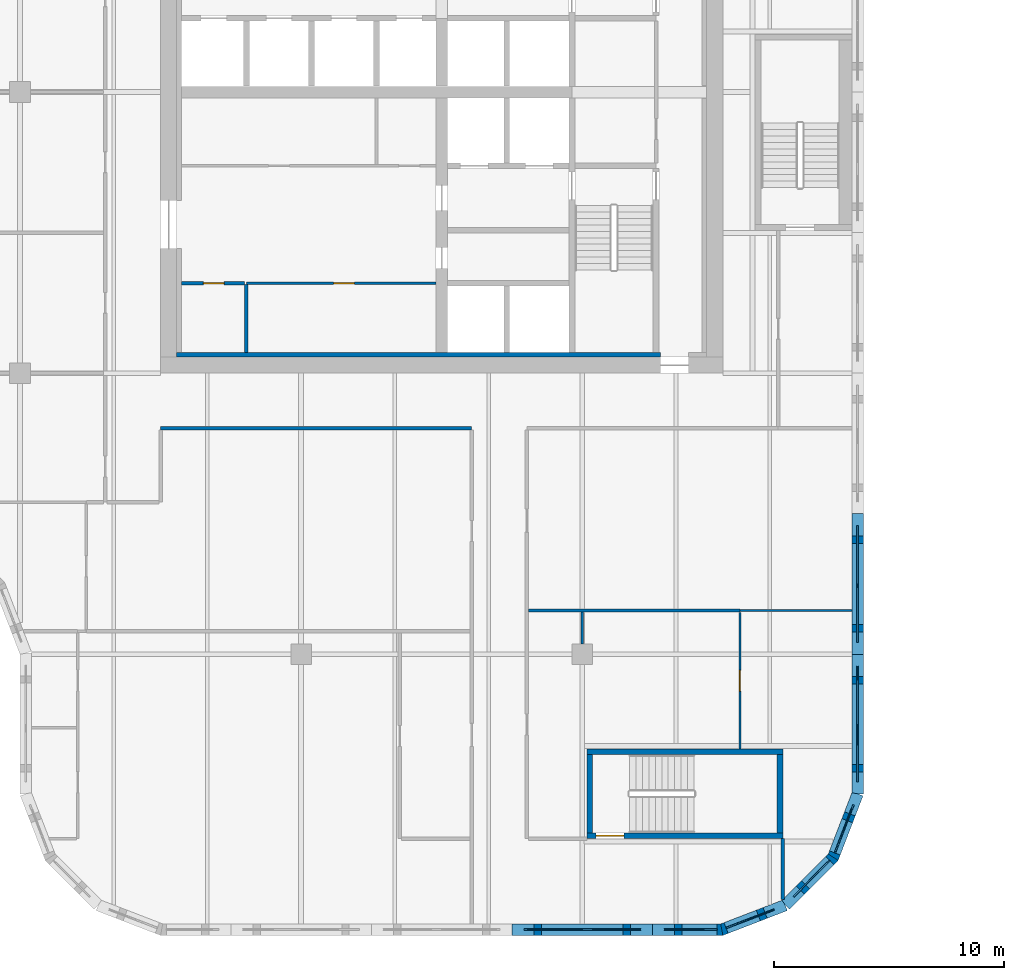
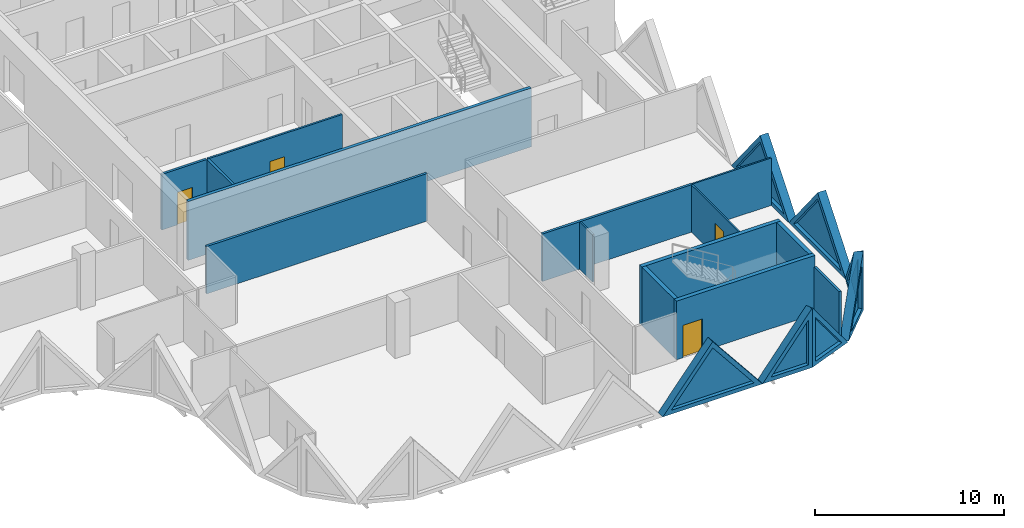
# One storey, part 6 of 17: 21 walls, 7 plates, 4 doors, 11 openings.
"""IFC4 building model written with IfcOpenShell, lengths in metres."""

from ifc_helpers import new_model, si_unit, direction, frame, frame_2d, origin, place, context, subcontext, project, spatial, polyline, rectangle, outline, extrude, faceted_brep, source, transform, mapped, material, layer, layer_set, type_object, element, fill, save


model = new_model("IFC4")

# Units and contexts
model_context = context("Model", 3, precision=1e-05, world=origin(), true_north=direction((0.0, 1.0)))
body_context = subcontext(model_context, "Body", "Model", "MODEL_VIEW")
ifc_project = project(units=[si_unit("LENGTHUNIT", "METRE"), si_unit("AREAUNIT", "SQUARE_METRE"), si_unit("VOLUMEUNIT", "CUBIC_METRE"), si_unit("PLANEANGLEUNIT", "RADIAN"), si_unit("MASSUNIT", "GRAM", prefix="KILO")], contexts=[model_context])

# Site, building, storey
site_placement = place(None, origin())
site = spatial("IfcSite", under=ifc_project, at=site_placement, CompositionType="ELEMENT")
building_placement = place(site_placement, origin())
building = spatial("IfcBuilding", under=site, at=building_placement, Name="Tessera Gate Towers", CompositionType="ELEMENT")
storey_placement = place(building_placement, frame((0.0, 0.0, 112.60009765625)))
storey = spatial("IfcBuildingStorey", under=building, at=storey_placement, Name="L27", CompositionType="ELEMENT", Elevation=112.60009765625)

# Wall, opening, door
ifc_material_1 = material(Name="Concrete C40/50", Category="concrete")
ifc_layer_1 = layer(ifc_material_1, 0.25)
ifc_layer_set_1 = layer_set([ifc_layer_1], Name="CORE ENCLOSURE WALL 250")
wall_type_1 = type_object("IfcWallType", Name="CORE ENCLOSURE WALL 250", PredefinedType="SOLIDWALL", material=ifc_layer_set_1)
wall_1_placement = place(storey_placement, frame((57.5, 4.324951171875, 0.0), z_axis=(0.0, 0.0, 1.0), x_axis=(-1.0, 0.0, 0.0)))
wall_1 = element("IfcWall", 1, at=wall_1_placement, inside=storey, type_object=wall_type_1, Name="L27 ST4 enclosure wall", PredefinedType="SOLIDWALL", context=body_context, shape_type="SweptSolid", body=[
    extrude(rectangle(XDim=8.5, YDim=0.25, at=frame_2d((4.25, 0.0))), origin(), (0.0, 0.0, 1.0), 3.7998046875),
])
shared_shape_1 = source(origin(), body_context, "Body", "SweptSolid", [
    extrude(rectangle(XDim=1.199951171875, YDim=2.10009765625, at=frame_2d((0.60009765625, 1.050048828125))), frame((0.0, 0.135009765625, 0.0), z_axis=(0.0, -1.0, 0.0), x_axis=(1.0, 0.0, 0.0)), (0.0, 0.0, 1.0), 0.27001953125),
])
opening_1_placement = place(wall_1_placement, frame((6.89990234375, 0.0, 0.0)))
opening_1 = element("IfcOpeningElement", 2, at=opening_1_placement, cuts=wall_1, Name="Opening SD-ST4-1", PredefinedType="OPENING", context=body_context, shape_type="MappedRepresentation", body=[
    mapped(shared_shape_1, transform((0.0, 0.0, 0.0), scale=1.0)),
])
ifc_material_2 = material(Name="Hollow steel fire door", Category="steel")
door_type_1 = type_object("IfcDoorType", Name="CORE DOOR SD 1200x2100", OperationType="NOTDEFINED", PredefinedType="DOOR", material=ifc_material_2)
shared_shape_2 = source(origin(), body_context, "Body", "SweptSolid", [
    extrude(rectangle(XDim=1.199951171875, YDim=2.10009765625, at=frame_2d((0.60009765625, 1.050048828125))), frame((0.0, 0.02490234375, 0.0), z_axis=(0.0, -1.0, 0.0), x_axis=(1.0, 0.0, 0.0)), (0.0, 0.0, 1.0), 0.050048828125),
])
door_1_placement = place(opening_1_placement, origin())
door_1 = element("IfcDoor", 3, at=door_1_placement, inside=storey, type_object=door_type_1, Name="Stair door", OperationType="SINGLE_SWING_RIGHT", OverallHeight=2.10009765625, OverallWidth=1.199951171875, PredefinedType="DOOR", context=body_context, shape_type="MappedRepresentation", body=[
    mapped(shared_shape_2, transform((0.0, 0.0, 0.0), scale=1.0)),
])
fill(opening_1, door_1)

# Walls
wall_2_placement = place(storey_placement, frame((49.125, 4.449951171875, 0.0), z_axis=(0.0, 0.0, 1.0), x_axis=(0.0, 1.0, 0.0)))
element("IfcWall", 4, at=wall_2_placement, inside=storey, type_object=wall_type_1, Name="L27 ST4 enclosure wall", PredefinedType="SOLIDWALL", context=body_context, shape_type="SweptSolid", body=[
    extrude(rectangle(XDim=3.400146484375, YDim=0.25, at=frame_2d((1.7001953125, 0.0))), origin(), (0.0, 0.0, 1.0), 3.7998046875),
])
wall_3_placement = place(storey_placement, frame((49.0, 7.97509765625, 0.0), z_axis=(0.0, 0.0, 1.0), x_axis=(1.0, 0.0, 0.0)))
element("IfcWall", 5, at=wall_3_placement, inside=storey, type_object=wall_type_1, Name="L27 ST4 enclosure wall", PredefinedType="SOLIDWALL", context=body_context, shape_type="SweptSolid", body=[
    extrude(rectangle(XDim=8.5, YDim=0.25, at=frame_2d((4.25, 0.0))), origin(), (0.0, 0.0, 1.0), 3.7998046875),
])
wall_4_placement = place(storey_placement, frame((57.375, 7.85009765625, 0.0), z_axis=(0.0, 0.0, 1.0), x_axis=(0.0, -1.0, 0.0)))
element("IfcWall", 6, at=wall_4_placement, inside=storey, type_object=wall_type_1, Name="L27 ST4 enclosure wall", PredefinedType="SOLIDWALL", context=body_context, shape_type="SweptSolid", body=[
    extrude(rectangle(XDim=3.400146484375, YDim=0.25, at=frame_2d((1.7001953125, 0.0))), origin(), (0.0, 0.0, 1.0), 3.7998046875),
])

# Wall, opening, door
ifc_material_3 = material(Name="Gypsum board on steel studs", Category="steel")
ifc_layer_2 = layer(ifc_material_3, 0.1201171875)
ifc_layer_set_2 = layer_set([ifc_layer_2], Name="CORE PARTITION 120")
wall_type_2 = type_object("IfcWallType", Name="CORE PARTITION 120", PredefinedType="PARTITIONING", material=ifc_layer_set_2)
wall_5_placement = place(storey_placement, frame((42.449951171875, 28.300048828125, 0.0), z_axis=(0.0, 0.0, 1.0), x_axis=(-1.0, 0.0, 0.0)))
wall_5 = element("IfcWall", 7, at=wall_5_placement, inside=storey, type_object=wall_type_2, Name="L27 core partition", PredefinedType="PARTITIONING", context=body_context, shape_type="SweptSolid", body=[
    extrude(rectangle(XDim=8.224853515625, YDim=0.1201171875, at=frame_2d((4.1123046875, 0.0))), origin(), (0.0, 0.0, 1.0), 3.599853515625),
])
shared_shape_3 = source(origin(), body_context, "Body", "SweptSolid", [
    extrude(rectangle(XDim=0.89990234375, YDim=2.10009765625, at=frame_2d((0.449951171875, 1.050048828125))), frame((0.0, 0.070068359375, 0.0), z_axis=(0.0, -1.0, 0.0), x_axis=(1.0, 0.0, 0.0)), (0.0, 0.0, 1.0), 0.14013671875),
])
opening_2_placement = place(wall_5_placement, frame((3.53759765625, 0.0, 0.0)))
opening_2 = element("IfcOpeningElement", 8, at=opening_2_placement, cuts=wall_5, Name="Opening RD-T1-19-09", PredefinedType="OPENING", context=body_context, shape_type="MappedRepresentation", body=[
    mapped(shared_shape_3, transform((0.0, 0.0, 0.0), scale=1.0)),
])
ifc_material_4 = material(Name="Hollow steel fire door", Category="steel")
door_type_2 = type_object("IfcDoorType", Name="CORE DOOR RD 900x2100", OperationType="NOTDEFINED", PredefinedType="DOOR", material=ifc_material_4)
shared_shape_4 = source(origin(), body_context, "Body", "SweptSolid", [
    extrude(rectangle(XDim=0.89990234375, YDim=2.10009765625, at=frame_2d((0.449951171875, 1.050048828125))), frame((0.0, 0.02490234375, 0.0), z_axis=(0.0, -1.0, 0.0), x_axis=(1.0, 0.0, 0.0)), (0.0, 0.0, 1.0), 0.050048828125),
])
door_2_placement = place(opening_2_placement, origin())
door_2 = element("IfcDoor", 9, at=door_2_placement, inside=storey, type_object=door_type_2, Name="Core room door", OperationType="SINGLE_SWING_LEFT", OverallHeight=2.10009765625, OverallWidth=0.89990234375, PredefinedType="DOOR", context=body_context, shape_type="MappedRepresentation", body=[
    mapped(shared_shape_4, transform((0.0, 0.0, 0.0), scale=1.0)),
])
fill(opening_2, door_2)

# Walls
ifc_material_5 = material(Name="Concrete C60/75", Category="concrete")
ifc_layer_3 = layer(ifc_material_5, 0.199951171875)
ifc_layer_set_3 = layer_set([ifc_layer_3], Name="CORE WALL THICKENING 200")
wall_type_3 = type_object("IfcWallType", Name="CORE WALL THICKENING 200", PredefinedType="SOLIDWALL", material=ifc_layer_set_3)
wall_6_placement = place(storey_placement, frame((31.199951171875, 25.199951171875, 0.0), z_axis=(0.0, 0.0, 1.0), x_axis=(1.0, 0.0, 0.0)))
element("IfcWall", 10, at=wall_6_placement, inside=storey, type_object=wall_type_3, Name="Core wall thickening S L27", PredefinedType="SOLIDWALL", context=body_context, shape_type="SweptSolid", body=[
    extrude(rectangle(XDim=21.0, YDim=0.199951171875, at=frame_2d((10.5, 0.0))), origin(), (0.0, 0.0, 1.0), 3.7998046875),
])
ifc_material_6 = material(Name="Gypsum board on steel studs, mineral wool", Category="steel")
ifc_layer_4 = layer(ifc_material_6, 0.14990234375)
ifc_layer_set_4 = layer_set([ifc_layer_4], Name="CORRIDOR WALL 150")
wall_type_4 = type_object("IfcWallType", Name="CORRIDOR WALL 150", PredefinedType="PARTITIONING", material=ifc_layer_set_4)
wall_7_placement = place(storey_placement, frame((57.5, 1.55908203125, 0.0), z_axis=(0.0, 0.0, 1.0), x_axis=(0.0, 1.0, 0.0)))
element("IfcWall", 11, at=wall_7_placement, inside=storey, type_object=wall_type_4, Name="T1-L27-PW-002", PredefinedType="PARTITIONING", context=body_context, shape_type="SweptSolid", body=[
    extrude(rectangle(XDim=2.640869140625, YDim=0.14990234375, at=frame_2d((1.3203125, 0.0))), origin(), (0.0, 0.0, 1.0), 3.06689453125),
])
wall_8_placement = place(storey_placement, frame((30.5, 22.0, 0.0), z_axis=(0.0, 0.0, 1.0), x_axis=(1.0, 0.0, 0.0)))
element("IfcWall", 12, at=wall_8_placement, inside=storey, type_object=wall_type_4, Name="T1-L27-PW-025", PredefinedType="PARTITIONING", context=body_context, shape_type="SweptSolid", body=[
    extrude(rectangle(XDim=13.5, YDim=0.14990234375, at=frame_2d((6.75, 0.0))), origin(), (0.0, 0.0, 1.0), 3.06689453125),
])

# Wall, opening, door
ifc_material_7 = material(Name="Glass", Category="glass")
ifc_layer_5 = layer(ifc_material_7, 0.10009765625)
ifc_layer_set_5 = layer_set([ifc_layer_5], Name="GLAZED PARTITION 100")
wall_type_5 = type_object("IfcWallType", Name="GLAZED PARTITION 100", PredefinedType="PARTITIONING", material=ifc_layer_set_5)
wall_9_placement = place(storey_placement, frame((55.639892578125, 14.02392578125, 0.0), z_axis=(0.0, 0.0, 1.0), x_axis=(0.0, -1.0, 0.0)))
wall_9 = element("IfcWall", 13, at=wall_9_placement, inside=storey, type_object=wall_type_5, Name="T1-L27-PW-009", PredefinedType="PARTITIONING", context=body_context, shape_type="SweptSolid", body=[
    extrude(rectangle(XDim=5.923828125, YDim=0.10009765625, at=frame_2d((2.9619140625, 0.0))), origin(), (0.0, 0.0, 1.0), 3.06689453125),
])
shared_shape_5 = source(origin(), body_context, "Body", "SweptSolid", [
    extrude(rectangle(XDim=0.89990234375, YDim=2.10009765625, at=frame_2d((0.449951171875, 1.050048828125))), frame((0.0, 0.06005859375, 0.0), z_axis=(0.0, -1.0, 0.0), x_axis=(1.0, 0.0, 0.0)), (0.0, 0.0, 1.0), 0.1201171875),
])
opening_3_placement = place(wall_9_placement, frame((2.52392578125, 0.0, 0.0)))
opening_3 = element("IfcOpeningElement", 14, at=opening_3_placement, cuts=wall_9, Name="Opening D690-A10-03", PredefinedType="OPENING", context=body_context, shape_type="MappedRepresentation", body=[
    mapped(shared_shape_5, transform((0.0, 0.0, 0.0), scale=1.0)),
])
ifc_material_8 = material(Name="Glass in aluminium frame", Category="aluminium")
door_type_3 = type_object("IfcDoorType", Name="GLAZED DOOR 900 NOT RATED", OperationType="NOTDEFINED", PredefinedType="DOOR", material=ifc_material_8)
door_3_placement = place(opening_3_placement, origin())
door_3 = element("IfcDoor", 15, at=door_3_placement, inside=storey, type_object=door_type_3, Name="T1-L27-PD-010", OperationType="SINGLE_SWING_RIGHT", OverallHeight=2.10009765625, OverallWidth=0.89990234375, PredefinedType="DOOR", context=body_context, shape_type="MappedRepresentation", body=[
    mapped(shared_shape_4, transform((0.0, 0.0, 0.0), scale=1.0)),
])
fill(opening_3, door_3)

# Walls
wall_10_placement = place(storey_placement, frame((55.64111328125, 14.10009765625, 0.0), z_axis=(0.0, 0.0, 1.0), x_axis=(1.0, 0.0, 0.0)))
element("IfcWall", 16, at=wall_10_placement, inside=storey, type_object=wall_type_5, Name="T1-L27-PW-017", PredefinedType="PARTITIONING", context=body_context, shape_type="SweptSolid", body=[
    extrude(rectangle(XDim=4.85888671875, YDim=0.10009765625, at=frame_2d((2.429443359375, 0.0))), origin(), (0.0, 0.0, 1.0), 3.06689453125),
])
ifc_material_9 = material(Name="Gypsum board on steel studs", Category="steel")
ifc_layer_6 = layer(ifc_material_9, 0.10009765625)
ifc_layer_set_6 = layer_set([ifc_layer_6], Name="PARTITION 100")
wall_type_6 = type_object("IfcWallType", Name="PARTITION 100", PredefinedType="PARTITIONING", material=ifc_layer_set_6)
wall_11_placement = place(storey_placement, frame((48.800048828125, 12.64990234375, 0.0), z_axis=(0.0, 0.0, 1.0), x_axis=(0.0, 1.0, 0.0)))
element("IfcWall", 17, at=wall_11_placement, inside=storey, type_object=wall_type_6, Name="T1-L27-PW-011", PredefinedType="PARTITIONING", context=body_context, shape_type="SweptSolid", body=[
    extrude(rectangle(XDim=1.375, YDim=0.10009765625, at=frame_2d((0.6875, 0.0))), origin(), (0.0, 0.0, 1.0), 3.06689453125),
])
ifc_material_10 = material(Name="Gypsum board on steel studs", Category="steel")
ifc_layer_7 = layer(ifc_material_10, 0.14990234375)
ifc_layer_set_7 = layer_set([ifc_layer_7], Name="SERVICE ROOM WALL 150")
wall_type_7 = type_object("IfcWallType", Name="SERVICE ROOM WALL 150", PredefinedType="PARTITIONING", material=ifc_layer_set_7)
wall_12_placement = place(storey_placement, frame((34.22509765625, 25.300048828125, 0.0), z_axis=(0.0, 0.0, 1.0), x_axis=(0.0, 1.0, 0.0)))
element("IfcWall", 18, at=wall_12_placement, inside=storey, type_object=wall_type_7, Name="L27 service room wall", PredefinedType="PARTITIONING", context=body_context, shape_type="SweptSolid", body=[
    extrude(rectangle(XDim=2.93994140625, YDim=0.14990234375, at=frame_2d((1.469970703125, 0.0))), origin(), (0.0, 0.0, 1.0), 3.599853515625),
])

# Wall, opening, door
wall_13_placement = place(storey_placement, frame((34.14990234375, 28.300048828125, 0.0), z_axis=(0.0, 0.0, 1.0), x_axis=(-1.0, 0.0, 0.0)))
wall_13 = element("IfcWall", 19, at=wall_13_placement, inside=storey, type_object=wall_type_7, Name="L27 service room wall", PredefinedType="PARTITIONING", context=body_context, shape_type="SweptSolid", body=[
    extrude(rectangle(XDim=2.75, YDim=0.14990234375, at=frame_2d((1.375, 0.0))), origin(), (0.0, 0.0, 1.0), 3.599853515625),
])
shared_shape_6 = source(origin(), body_context, "Body", "SweptSolid", [
    extrude(rectangle(XDim=0.89990234375, YDim=2.10009765625, at=frame_2d((0.449951171875, 1.050048828125))), frame((0.0, 0.0849609375, 0.0), z_axis=(0.0, -1.0, 0.0), x_axis=(1.0, 0.0, 0.0)), (0.0, 0.0, 1.0), 0.169921875),
])
opening_4_placement = place(wall_13_placement, frame((0.887451171875, 0.0, 0.0)))
opening_4 = element("IfcOpeningElement", 20, at=opening_4_placement, cuts=wall_13, Name="Opening RD-T1-19-12", PredefinedType="OPENING", context=body_context, shape_type="MappedRepresentation", body=[
    mapped(shared_shape_6, transform((0.0, 0.0, 0.0), scale=1.0)),
])
door_4_placement = place(opening_4_placement, origin())
door_4 = element("IfcDoor", 21, at=door_4_placement, inside=storey, type_object=door_type_2, Name="Core room door", OperationType="SINGLE_SWING_LEFT", OverallHeight=2.10009765625, OverallWidth=0.89990234375, PredefinedType="DOOR", context=body_context, shape_type="MappedRepresentation", body=[
    mapped(shared_shape_4, transform((0.0, 0.0, 0.0), scale=1.0)),
])
fill(opening_4, door_4)

# Wall
ifc_material_11 = material(Name="Gypsum board on steel studs, mineral wool", Category="steel")
ifc_layer_8 = layer(ifc_material_11, 0.14990234375)
ifc_layer_set_8 = layer_set([ifc_layer_8], Name="TENANCY WALL 150")
wall_type_8 = type_object("IfcWallType", Name="TENANCY WALL 150", PredefinedType="PARTITIONING", material=ifc_layer_set_8)
wall_14_placement = place(storey_placement, frame((46.47607421875, 14.10009765625, 0.0), z_axis=(0.0, 0.0, 1.0), x_axis=(1.0, 0.0, 0.0)))
element("IfcWall", 22, at=wall_14_placement, inside=storey, type_object=wall_type_8, Name="T1-L27-PW-016", PredefinedType="PARTITIONING", context=body_context, shape_type="SweptSolid", body=[
    extrude(rectangle(XDim=9.163818359375, YDim=0.14990234375, at=frame_2d((4.58203125, 0.0))), origin(), (0.0, 0.0, 1.0), 3.06689453125),
])

# Wall, opening, plate
ifc_material_12 = material(Name="Precast concrete C60/75 white", Category="concrete")
ifc_layer_9 = layer(ifc_material_12, 0.5)
ifc_layer_set_9 = layer_set([ifc_layer_9], Name="TS2 half tessera")
wall_type_9 = type_object("IfcWallType", Name="TS2 half tessera", PredefinedType="SOLIDWALL", material=ifc_layer_set_9)
shared_shape_7 = source(origin(), body_context, "Body", "SweptSolid", [
    extrude(outline(polyline([(6.10009765625, 0.0), (3.050048828125, 3.7998046875), (0.0, 0.0), (6.10009765625, 0.0)])), frame((0.0, 0.25, 0.0), z_axis=(0.0, -1.0, 0.0), x_axis=(1.0, 0.0, 0.0)), (0.0, 0.0, 1.0), 0.5),
])
wall_15_placement = place(storey_placement, frame((45.75, 0.25, 0.0), z_axis=(0.0, 0.0, 1.0), x_axis=(1.0, 0.0, 0.0)))
wall_15 = element("IfcWall", 23, at=wall_15_placement, inside=storey, type_object=wall_type_9, Name="Precast half tessera T1 TS2-0140", PredefinedType="SOLIDWALL", context=body_context, shape_type="MappedRepresentation", body=[
    mapped(shared_shape_7, transform((0.0, 0.0, 0.0), scale=1.0)),
])
shared_shape_8 = source(origin(), body_context, "Body", "SweptSolid", [
    extrude(outline(polyline([(5.578857421875, 0.25), (3.050048828125, 3.400390625), (0.521240234375, 0.25), (5.578857421875, 0.25)])), frame((0.0, 0.260009765625, 0.0), z_axis=(0.0, -1.0, 0.0), x_axis=(1.0, 0.0, 0.0)), (0.0, 0.0, 1.0), 0.52001953125),
])
opening_5_placement = place(wall_15_placement, origin())
opening_5 = element("IfcOpeningElement", 24, at=opening_5_placement, cuts=wall_15, Name="Opening T1-PL1-0286", PredefinedType="OPENING", context=body_context, shape_type="MappedRepresentation", body=[
    mapped(shared_shape_8, transform((0.0, 0.0, 0.0), scale=1.0)),
])
ifc_material_13 = material(Name="Low-e laminated glass", Category="glass")
ifc_layer_10 = layer(ifc_material_13, 0.06005859375)
ifc_layer_set_10 = layer_set([ifc_layer_10], Name="PL1 triangular pane")
plate_type = type_object("IfcPlateType", Name="PL1 triangular pane", PredefinedType="SHEET", material=ifc_layer_set_10)
shared_shape_9 = source(origin(), body_context, "Body", "SweptSolid", [
    extrude(outline(polyline([(5.578857421875, 0.25), (3.050048828125, 3.400390625), (0.521240234375, 0.25), (5.578857421875, 0.25)])), frame((0.0, 0.030029296875, 0.0), z_axis=(0.0, -1.0, 0.0), x_axis=(1.0, 0.0, 0.0)), (0.0, 0.0, 1.0), 0.06005859375),
])
plate_1_placement = place(opening_5_placement, origin())
plate_1 = element("IfcPlate", 25, at=plate_1_placement, inside=storey, type_object=plate_type, Name="Glass pane T1 PL1-0286", PredefinedType="SHEET", context=body_context, shape_type="MappedRepresentation", body=[
    mapped(shared_shape_9, transform((0.0, 0.0, 0.0), scale=1.0)),
])
fill(opening_5, plate_1)

wall_16_placement = place(storey_placement, frame((60.75, 12.199951171875, 0.0), z_axis=(0.0, 0.0, 1.0), x_axis=(0.0, 1.0, 0.0)))
wall_16 = element("IfcWall", 26, at=wall_16_placement, inside=storey, type_object=wall_type_9, Name="Precast half tessera T1 TS2-0142", PredefinedType="SOLIDWALL", context=body_context, shape_type="MappedRepresentation", body=[
    mapped(shared_shape_7, transform((0.0, 0.0, 0.0), scale=1.0)),
])
opening_6_placement = place(wall_16_placement, origin())
opening_6 = element("IfcOpeningElement", 27, at=opening_6_placement, cuts=wall_16, Name="Opening T1-PL1-0292", PredefinedType="OPENING", context=body_context, shape_type="MappedRepresentation", body=[
    mapped(shared_shape_8, transform((0.0, 0.0, 0.0), scale=1.0)),
])
plate_2_placement = place(opening_6_placement, origin())
plate_2 = element("IfcPlate", 28, at=plate_2_placement, inside=storey, type_object=plate_type, Name="Glass pane T1 PL1-0292", PredefinedType="SHEET", context=body_context, shape_type="MappedRepresentation", body=[
    mapped(shared_shape_9, transform((0.0, 0.0, 0.0), scale=1.0)),
])
fill(opening_6, plate_2)

ifc_material_14 = material(Name="Precast concrete C60/75 white", Category="concrete")
ifc_layer_11 = layer(ifc_material_14, 0.5)
ifc_layer_set_11 = layer_set([ifc_layer_11], Name="TS3 corner tessera")
wall_type_10 = type_object("IfcWallType", Name="TS3 corner tessera", PredefinedType="SOLIDWALL", material=ifc_layer_set_11)
shared_shape_10 = source(origin(), body_context, "Body", "Brep", [
    faceted_brep([(3.050048828125, -0.25, 3.73974609375), (3.00341796875, -0.25, 3.7998046875), (0.0, -0.25, 0.0), (3.050048828125, -0.25, 0.0), (0.0, 0.25, 0.0), (2.956787109375, 0.25, 3.740966796875), (2.956787109375, 0.25, 0.0), (3.00341796875, 0.000244140625, 3.7998046875)], [[[0, 1, 2, 3]], [[4, 5, 6]], [[7, 1, 0]], [[5, 4, 2, 1, 7]], [[4, 6, 3, 2]], [[3, 6, 5, 7, 0]]]),
])
wall_17_placement = place(storey_placement, frame((51.85009765625, 0.25, 0.0), z_axis=(0.0, 0.0, 1.0), x_axis=(1.0, 0.0, 0.0)))
wall_17 = element("IfcWall", 29, at=wall_17_placement, inside=storey, type_object=wall_type_10, Name="Precast corner tessera T1 TS3-0603", PredefinedType="SOLIDWALL", context=body_context, shape_type="MappedRepresentation", body=[
    mapped(shared_shape_10, transform((0.0, 0.0, 0.0), scale=1.0)),
])
shared_shape_11 = source(origin(), body_context, "Body", "SweptSolid", [
    extrude(outline(polyline([(2.803466796875, 3.143798828125), (0.516357421875, 0.25), (2.803466796875, 0.25), (2.803466796875, 3.143798828125)])), frame((0.0, 0.260009765625, 0.0), z_axis=(0.0, -1.0, 0.0), x_axis=(1.0, 0.0, 0.0)), (0.0, 0.0, 1.0), 0.52001953125),
])
opening_7_placement = place(wall_17_placement, origin())
opening_7 = element("IfcOpeningElement", 30, at=opening_7_placement, cuts=wall_17, Name="Opening T1-PL1-0287", PredefinedType="OPENING", context=body_context, shape_type="MappedRepresentation", body=[
    mapped(shared_shape_11, transform((0.0, 0.0, 0.0), scale=1.0)),
])
shared_shape_12 = source(origin(), body_context, "Body", "SweptSolid", [
    extrude(outline(polyline([(2.803466796875, 3.143798828125), (0.516357421875, 0.25), (2.803466796875, 0.25), (2.803466796875, 3.143798828125)])), frame((0.0, 0.030029296875, 0.0), z_axis=(0.0, -1.0, 0.0), x_axis=(1.0, 0.0, 0.0)), (0.0, 0.0, 1.0), 0.06005859375),
])
plate_3_placement = place(opening_7_placement, origin())
plate_3 = element("IfcPlate", 31, at=plate_3_placement, inside=storey, type_object=plate_type, Name="Glass pane T1 PL1-0287", PredefinedType="SHEET", context=body_context, shape_type="MappedRepresentation", body=[
    mapped(shared_shape_12, transform((0.0, 0.0, 0.0), scale=1.0)),
])
fill(opening_7, plate_3)

shared_shape_13 = source(origin(), body_context, "Body", "Brep", [
    faceted_brep([(2.9970703125, -0.25, 0.0), (0.046630859375, -0.25, 3.7998046875), (0.0, -0.25, 3.740966796875), (0.0, -0.25, 0.0), (0.09326171875, 0.25, 3.73974609375), (2.9443359375, 0.25, 0.068115234375), (2.9443359375, 0.25, 0.0), (0.09326171875, 0.25, 0.0), (0.046630859375, 0.0, 3.7998046875), (2.9970703125, 0.00048828125, 0.0)], [[[0, 1, 2, 3]], [[4, 5, 6, 7]], [[5, 4, 8, 1, 0, 9]], [[2, 1, 8]], [[7, 6, 9, 0, 3]], [[7, 3, 2, 8, 4]], [[9, 6, 5]]]),
])
wall_18_placement = place(storey_placement, frame((54.81005859375, 0.233154296875, 0.0), z_axis=(0.0, 0.0, 1.0), x_axis=(0.932990326376, 0.359901446078, 0.0)))
wall_18 = element("IfcWall", 32, at=wall_18_placement, inside=storey, type_object=wall_type_10, Name="Precast corner tessera T1 TS3-0604", PredefinedType="SOLIDWALL", context=body_context, shape_type="MappedRepresentation", body=[
    mapped(shared_shape_13, transform((0.0, 0.0, 0.0), scale=1.0)),
])
shared_shape_14 = source(origin(), body_context, "Body", "SweptSolid", [
    extrude(outline(polyline([(2.486572265625, 0.25), (0.24658203125, 3.134765625), (0.24658203125, 0.25), (2.486572265625, 0.25)])), frame((0.0, 0.260009765625, 0.0), z_axis=(0.0, -1.0, 0.0), x_axis=(1.0, 0.0, 0.0)), (0.0, 0.0, 1.0), 0.52001953125),
])
opening_8_placement = place(wall_18_placement, origin())
opening_8 = element("IfcOpeningElement", 33, at=opening_8_placement, cuts=wall_18, Name="Opening T1-PL1-0288", PredefinedType="OPENING", context=body_context, shape_type="MappedRepresentation", body=[
    mapped(shared_shape_14, transform((0.0, 0.0, 0.0), scale=1.0)),
])
shared_shape_15 = source(origin(), body_context, "Body", "SweptSolid", [
    extrude(outline(polyline([(2.486572265625, 0.25), (0.24658203125, 3.134765625), (0.24658203125, 0.25), (2.486572265625, 0.25)])), frame((0.0, 0.030029296875, 0.0), z_axis=(0.0, -1.0, 0.0), x_axis=(1.0, 0.0, 0.0)), (0.0, 0.0, 1.0), 0.06005859375),
])
plate_4_placement = place(opening_8_placement, origin())
plate_4 = element("IfcPlate", 34, at=plate_4_placement, inside=storey, type_object=plate_type, Name="Glass pane T1 PL1-0288", PredefinedType="SHEET", context=body_context, shape_type="MappedRepresentation", body=[
    mapped(shared_shape_15, transform((0.0, 0.0, 0.0), scale=1.0)),
])
fill(opening_8, plate_4)

shared_shape_16 = source(origin(), body_context, "Body", "Brep", [
    faceted_brep([(2.9970703125, -0.25, 3.731689453125), (2.944091796875, -0.25, 3.7998046875), (0.0, -0.25, 0.0), (2.9970703125, -0.25, 0.0), (0.052978515625, 0.25, 0.068359375), (2.89111328125, 0.25, 3.731689453125), (2.89111328125, 0.25, 0.0), (0.052978515625, 0.25, 0.0), (2.944091796875, 0.000244140625, 3.7998046875), (0.0, 0.0, 0.0)], [[[0, 1, 2, 3]], [[4, 5, 6, 7]], [[8, 1, 0]], [[5, 4, 9, 2, 1, 8]], [[7, 6, 3, 2, 9]], [[7, 9, 4]], [[3, 6, 5, 8, 0]]]),
])
wall_19_placement = place(storey_placement, frame((57.606201171875, 1.31201171875, 0.0), z_axis=(0.0, 0.0, 1.0), x_axis=(0.707147509625, 0.707066050402, 0.0)))
wall_19 = element("IfcWall", 35, at=wall_19_placement, inside=storey, type_object=wall_type_10, Name="Precast corner tessera T1 TS3-0605", PredefinedType="SOLIDWALL", context=body_context, shape_type="MappedRepresentation", body=[
    mapped(shared_shape_16, transform((0.0, 0.0, 0.0), scale=1.0)),
])
shared_shape_17 = source(origin(), body_context, "Body", "SweptSolid", [
    extrude(outline(polyline([(2.744140625, 3.133544921875), (0.510009765625, 0.25), (2.744140625, 0.25), (2.744140625, 3.133544921875)])), frame((0.0, 0.260009765625, 0.0), z_axis=(0.0, -1.0, 0.0), x_axis=(1.0, 0.0, 0.0)), (0.0, 0.0, 1.0), 0.52001953125),
])
opening_9_placement = place(wall_19_placement, origin())
opening_9 = element("IfcOpeningElement", 36, at=opening_9_placement, cuts=wall_19, Name="Opening T1-PL1-0289", PredefinedType="OPENING", context=body_context, shape_type="MappedRepresentation", body=[
    mapped(shared_shape_17, transform((0.0, 0.0, 0.0), scale=1.0)),
])
shared_shape_18 = source(origin(), body_context, "Body", "SweptSolid", [
    extrude(outline(polyline([(2.744140625, 3.133544921875), (0.510009765625, 0.25), (2.744140625, 0.25), (2.744140625, 3.133544921875)])), frame((0.0, 0.030029296875, 0.0), z_axis=(0.0, -1.0, 0.0), x_axis=(1.0, 0.0, 0.0)), (0.0, 0.0, 1.0), 0.06005859375),
])
plate_5_placement = place(opening_9_placement, origin())
plate_5 = element("IfcPlate", 37, at=plate_5_placement, inside=storey, type_object=plate_type, Name="Glass pane T1 PL1-0289", PredefinedType="SHEET", context=body_context, shape_type="MappedRepresentation", body=[
    mapped(shared_shape_18, transform((0.0, 0.0, 0.0), scale=1.0)),
])
fill(opening_9, plate_5)

shared_shape_19 = source(origin(), body_context, "Body", "Brep", [
    faceted_brep([(3.00341796875, -0.25, 0.0), (0.052978515625, -0.25, 3.7998046875), (0.0, -0.25, 3.7314453125), (0.0, -0.25, 0.0), (0.10595703125, 0.25, 3.731689453125), (2.95703125, 0.25, 0.059814453125), (2.95703125, 0.25, 0.0), (0.10595703125, 0.25, 0.0), (0.052978515625, 0.0, 3.7998046875), (3.00341796875, 0.00048828125, 0.0)], [[[0, 1, 2, 3]], [[4, 5, 6, 7]], [[5, 4, 8, 1, 0, 9]], [[2, 1, 8]], [[7, 6, 9, 0, 3]], [[7, 3, 2, 8, 4]], [[9, 6, 5]]]),
])
wall_20_placement = place(storey_placement, frame((59.6689453125, 3.34423828125, 0.0), z_axis=(0.0, 0.0, 1.0), x_axis=(0.35992665181, 0.932980602862, 0.0)))
wall_20 = element("IfcWall", 38, at=wall_20_placement, inside=storey, type_object=wall_type_10, Name="Precast corner tessera T1 TS3-0606", PredefinedType="SOLIDWALL", context=body_context, shape_type="MappedRepresentation", body=[
    mapped(shared_shape_19, transform((0.0, 0.0, 0.0), scale=1.0)),
])
shared_shape_20 = source(origin(), body_context, "Body", "SweptSolid", [
    extrude(outline(polyline([(2.492919921875, 0.25), (0.2529296875, 3.134765625), (0.2529296875, 0.25), (2.492919921875, 0.25)])), frame((0.0, 0.260009765625, 0.0), z_axis=(0.0, -1.0, 0.0), x_axis=(1.0, 0.0, 0.0)), (0.0, 0.0, 1.0), 0.52001953125),
])
opening_10_placement = place(wall_20_placement, origin())
opening_10 = element("IfcOpeningElement", 39, at=opening_10_placement, cuts=wall_20, Name="Opening T1-PL1-0290", PredefinedType="OPENING", context=body_context, shape_type="MappedRepresentation", body=[
    mapped(shared_shape_20, transform((0.0, 0.0, 0.0), scale=1.0)),
])
shared_shape_21 = source(origin(), body_context, "Body", "SweptSolid", [
    extrude(outline(polyline([(2.492919921875, 0.25), (0.2529296875, 3.134765625), (0.2529296875, 0.25), (2.492919921875, 0.25)])), frame((0.0, 0.030029296875, 0.0), z_axis=(0.0, -1.0, 0.0), x_axis=(1.0, 0.0, 0.0)), (0.0, 0.0, 1.0), 0.06005859375),
])
plate_6_placement = place(opening_10_placement, origin())
plate_6 = element("IfcPlate", 40, at=plate_6_placement, inside=storey, type_object=plate_type, Name="Glass pane T1 PL1-0290", PredefinedType="SHEET", context=body_context, shape_type="MappedRepresentation", body=[
    mapped(shared_shape_21, transform((0.0, 0.0, 0.0), scale=1.0)),
])
fill(opening_10, plate_6)

shared_shape_22 = source(origin(), body_context, "Body", "Brep", [
    faceted_brep([(6.053466796875, -0.25, 0.0), (3.00341796875, -0.25, 3.7998046875), (0.0, -0.25, 0.0), (0.046630859375, 0.25, 0.058837890625), (3.00341796875, 0.25, 3.7998046875), (6.053466796875, 0.25, 0.0), (0.046630859375, 0.25, 0.0), (0.0, 0.0, 0.0)], [[[0, 1, 2]], [[3, 4, 5, 6]], [[5, 4, 1, 0]], [[4, 3, 7, 2, 1]], [[6, 5, 0, 2, 7]], [[6, 7, 3]]]),
])
wall_21_placement = place(storey_placement, frame((60.75, 6.146484375, 0.0), z_axis=(0.0, 0.0, 1.0), x_axis=(0.0, 1.0, 0.0)))
wall_21 = element("IfcWall", 41, at=wall_21_placement, inside=storey, type_object=wall_type_9, Name="Precast half tessera T1 TS2-0141", PredefinedType="SOLIDWALL", context=body_context, shape_type="MappedRepresentation", body=[
    mapped(shared_shape_22, transform((0.0, 0.0, 0.0), scale=1.0)),
])
shared_shape_23 = source(origin(), body_context, "Body", "SweptSolid", [
    extrude(outline(polyline([(5.5322265625, 0.25), (3.0048828125, 3.398681640625), (0.516357421875, 0.25), (5.5322265625, 0.25)])), frame((0.0, 0.260009765625, 0.0), z_axis=(0.0, -1.0, 0.0), x_axis=(1.0, 0.0, 0.0)), (0.0, 0.0, 1.0), 0.52001953125),
])
opening_11_placement = place(wall_21_placement, origin())
opening_11 = element("IfcOpeningElement", 42, at=opening_11_placement, cuts=wall_21, Name="Opening T1-PL1-0291", PredefinedType="OPENING", context=body_context, shape_type="MappedRepresentation", body=[
    mapped(shared_shape_23, transform((0.0, 0.0, 0.0), scale=1.0)),
])
shared_shape_24 = source(origin(), body_context, "Body", "SweptSolid", [
    extrude(outline(polyline([(5.5322265625, 0.25), (3.0048828125, 3.398681640625), (0.516357421875, 0.25), (5.5322265625, 0.25)])), frame((0.0, 0.030029296875, 0.0), z_axis=(0.0, -1.0, 0.0), x_axis=(1.0, 0.0, 0.0)), (0.0, 0.0, 1.0), 0.06005859375),
])
plate_7_placement = place(opening_11_placement, origin())
plate_7 = element("IfcPlate", 43, at=plate_7_placement, inside=storey, type_object=plate_type, Name="Glass pane T1 PL1-0291", PredefinedType="SHEET", context=body_context, shape_type="MappedRepresentation", body=[
    mapped(shared_shape_24, transform((0.0, 0.0, 0.0), scale=1.0)),
])
fill(opening_11, plate_7)

save(model, "model.ifc")
